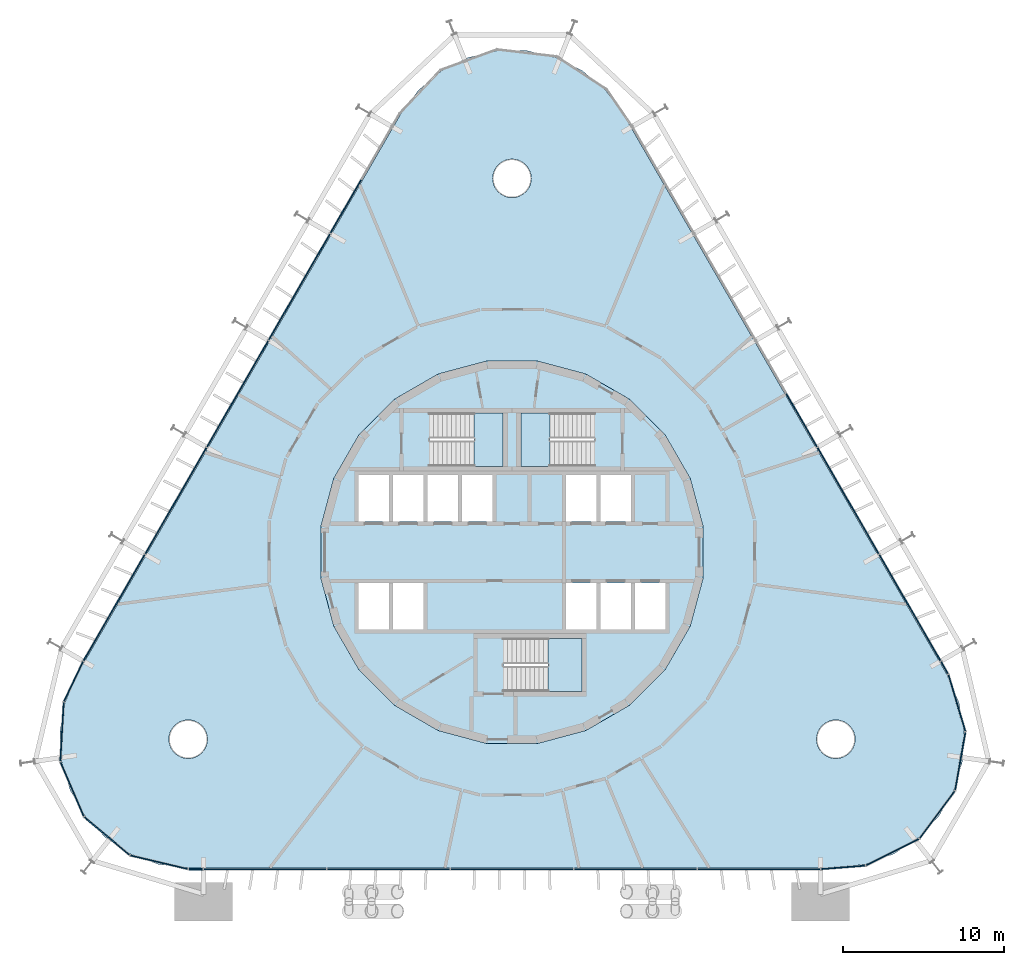
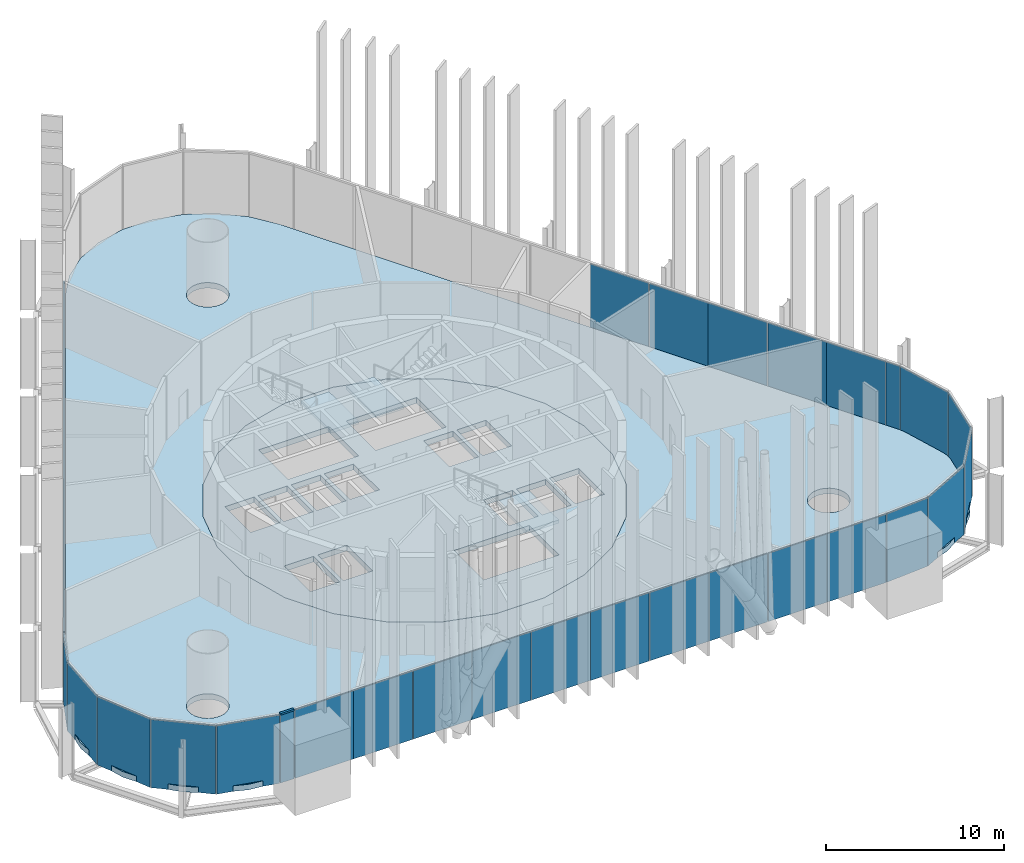
# One storey, part 12 of 17: 36 plates, 5 slabs, 1 member, 8 elements without a shape of their own.
"""IFC4 building model written with IfcOpenShell, lengths in metres."""

from ifc_helpers import new_model, si_unit, direction, frame, origin, origin_2d, place, context, subcontext, project, spatial, polyline, rectangle, outline, extrude, material, layer, layer_set, material_profile, profile_set, type_object, element, aggregate, save


model = new_model("IFC4")

# Units and contexts
model_context = context("Model", 3, precision=1e-05, world=origin(), true_north=direction((0.0, 1.0)))
body_context = subcontext(model_context, "Body", "Model", "MODEL_VIEW")
ifc_project = project(units=[si_unit("LENGTHUNIT", "METRE"), si_unit("AREAUNIT", "SQUARE_METRE"), si_unit("VOLUMEUNIT", "CUBIC_METRE"), si_unit("PLANEANGLEUNIT", "RADIAN"), si_unit("MASSUNIT", "GRAM", prefix="KILO")], contexts=[model_context])

# Site, building, storey
site_placement = place(None, origin())
site = spatial("IfcSite", under=ifc_project, at=site_placement, CompositionType="ELEMENT")
building_placement = place(site_placement, origin())
building = spatial("IfcBuilding", under=site, at=building_placement, Name="Spindle Arch Residences", CompositionType="ELEMENT")
storey_placement = place(building_placement, frame((0.0, 0.0, 18.60009765625)))
storey = spatial("IfcBuildingStorey", under=building, at=storey_placement, Name="L03", CompositionType="ELEMENT", Elevation=18.60009765625)

# Curtain wall, member
ifc_material_1 = material(Name="Aluminium bronze unitised frame with tinted glass", Category="aluminium")
ifc_layer_1 = layer(ifc_material_1, 0.159912109375)
ifc_layer_set_1 = layer_set([ifc_layer_1], Name="CW-D corner wall on the fillet arcs")
curtain_wall_type_1 = type_object("IfcCurtainWallType", Name="CW-D corner wall on the fillet arcs", PredefinedType="NOTDEFINED", material=ifc_layer_set_1)
curtain_wall_1_placement = place(storey_placement, origin())
curtain_wall_1 = element("IfcCurtainWall", 1, at=curtain_wall_1_placement, inside=storey, type_object=curtain_wall_type_1, Name="CW-D L03 run 5", PredefinedType="NOTDEFINED")
ifc_material_2 = material(Name="Aluminium bronze anodised transom", Category="aluminium")
ifc_material_profile = material_profile(ifc_material_2, rectangle(XDim=0.159912109375, YDim=0.1201171875, at=origin_2d()), Name="TR 120x160")
ifc_profile_set = profile_set([ifc_material_profile], Name="Aluminium bronze anodised transom")
member_type = type_object("IfcMemberType", Name="Bronze transom 120x160", PredefinedType="USERDEFINED", material=ifc_profile_set)
member_placement = place(storey_placement, frame((-20.113525390625, -19.7099609375, 4.35986328125), z_axis=(1.0, 0.0, 0.0), x_axis=(0.0, 1.0, 0.0)))
member = element("IfcMember", 2, at=member_placement, type_object=member_type, Name="CW-D transom 05", ObjectType="TRANSOM", PredefinedType="USERDEFINED", context=body_context, shape_type="SweptSolid", body=[
    extrude(rectangle(XDim=0.159912109375, YDim=0.1201171875, at=origin_2d()), origin(), (0.0, 0.0, 1.0), 0.88330078125),
])

# Slab
ifc_material_3 = material(Name="Concrete C50/60", Category="concrete")
ifc_layer_2 = layer(ifc_material_3, 0.3798828125)
ifc_layer_set_2 = layer_set([ifc_layer_2], Name="Core floor slab 380")
slab_type_1 = type_object("IfcSlabType", Name="Core floor slab 380", PredefinedType="FLOOR", material=ifc_layer_set_2)
slab_1_placement = place(storey_placement, frame((0.0, 0.0, -0.380126953125)))
element("IfcSlab", 3, at=slab_1_placement, inside=storey, type_object=slab_type_1, Name="Core floor L03", PredefinedType="FLOOR", context=body_context, shape_type="SweptSolid", body=[
    extrude(outline(polyline([(1.56640625, -11.897216796875), (4.59228515625, -11.086669921875), (7.30517578125, -9.520263671875), (9.520263671875, -7.30517578125), (11.086669921875, -4.59228515625), (11.897216796875, -1.56640625), (11.897216796875, 1.56640625), (11.086669921875, 4.59228515625), (9.520263671875, 7.30517578125), (7.30517578125, 9.520263671875), (4.59228515625, 11.086669921875), (1.56640625, 11.897216796875), (-1.56640625, 11.897216796875), (-4.59228515625, 11.086669921875), (-7.30517578125, 9.520263671875), (-9.520263671875, 7.30517578125), (-11.086669921875, 4.59228515625), (-11.897216796875, 1.56640625), (-11.897216796875, -1.56640625), (-11.086669921875, -4.59228515625), (-9.520263671875, -7.30517578125), (-7.30517578125, -9.520263671875), (-4.59228515625, -11.086669921875), (-1.56640625, -11.897216796875), (1.56640625, -11.897216796875)]), holes=[polyline([(-9.550048828125, 1.89990234375), (-7.64990234375, 1.89990234375), (-7.64990234375, 4.800048828125), (-9.550048828125, 4.800048828125), (-9.550048828125, 1.89990234375)]), polyline([(-7.39990234375, 1.89990234375), (-5.5, 1.89990234375), (-5.5, 4.800048828125), (-7.39990234375, 4.800048828125), (-7.39990234375, 1.89990234375)]), polyline([(-5.25, 1.89990234375), (-3.35009765625, 1.89990234375), (-3.35009765625, 4.800048828125), (-5.25, 4.800048828125), (-5.25, 1.89990234375)]), polyline([(-3.10009765625, 1.89990234375), (-1.199951171875, 1.89990234375), (-1.199951171875, 4.800048828125), (-3.10009765625, 4.800048828125), (-3.10009765625, 1.89990234375)]), polyline([(3.35009765625, 1.89990234375), (5.25, 1.89990234375), (5.25, 4.800048828125), (3.35009765625, 4.800048828125), (3.35009765625, 1.89990234375)]), polyline([(5.5, 1.89990234375), (7.39990234375, 1.89990234375), (7.39990234375, 4.800048828125), (5.5, 4.800048828125), (5.5, 1.89990234375)]), polyline([(-9.550048828125, -4.800048828125), (-7.64990234375, -4.800048828125), (-7.64990234375, -1.89990234375), (-9.550048828125, -1.89990234375), (-9.550048828125, -4.800048828125)]), polyline([(-7.39990234375, -4.800048828125), (-5.5, -4.800048828125), (-5.5, -1.89990234375), (-7.39990234375, -1.89990234375), (-7.39990234375, -4.800048828125)]), polyline([(3.35009765625, -4.800048828125), (5.25, -4.800048828125), (5.25, -1.89990234375), (3.35009765625, -1.89990234375), (3.35009765625, -4.800048828125)]), polyline([(5.5, -4.800048828125), (7.39990234375, -4.800048828125), (7.39990234375, -1.89990234375), (5.5, -1.89990234375), (5.5, -4.800048828125)]), polyline([(7.64990234375, -4.800048828125), (9.550048828125, -4.800048828125), (9.550048828125, -1.89990234375), (7.64990234375, -1.89990234375), (7.64990234375, -4.800048828125)]), polyline([(5.1298828125, 8.669921875), (0.550048828125, 8.669921875), (0.550048828125, 5.35009765625), (5.1298828125, 5.35009765625), (5.1298828125, 8.669921875)]), polyline([(-5.1298828125, 5.35009765625), (-0.550048828125, 5.35009765625), (-0.550048828125, 8.669921875), (-5.1298828125, 8.669921875), (-5.1298828125, 5.35009765625)]), polyline([(-0.530029296875, -8.669921875), (4.35009765625, -8.669921875), (4.35009765625, -5.35009765625), (-0.530029296875, -5.35009765625), (-0.530029296875, -8.669921875)])]), origin(), (0.0, 0.0, 1.0), 0.380126953125),
])

# Stair, slab
ifc_material_4 = material(Name="Concrete C50/60", Category="concrete")
stair_type = type_object("IfcStairType", Name="Exit stair 22 risers", PredefinedType="HALF_TURN_STAIR", material=ifc_material_4)
stair_1_placement = place(storey_placement, origin())
stair_1 = element("IfcStair", 4, at=stair_1_placement, inside=storey, type_object=stair_type, Name="L03 Exit stair ST1", PredefinedType="HALF_TURN_STAIR")
ifc_material_5 = material(Name="Concrete C50/60", Category="concrete")
ifc_layer_3 = layer(ifc_material_5, 0.219970703125)
ifc_layer_set_3 = layer_set([ifc_layer_3], Name="Exit stair landing 220")
slab_type_2 = type_object("IfcSlabType", Name="Exit stair landing 220", PredefinedType="LANDING", material=ifc_layer_set_3)
slab_2_placement = place(storey_placement, frame((0.0, 0.0, 2.179931640625)))
slab_2 = element("IfcSlab", 5, at=slab_2_placement, type_object=slab_type_2, Name="ST1 landing 1", PredefinedType="LANDING", context=body_context, shape_type="SweptSolid", body=[
    extrude(outline(polyline([(2.3701171875, 8.669921875), (0.550048828125, 8.669921875), (0.550048828125, 5.35009765625), (2.3701171875, 5.35009765625), (2.3701171875, 8.669921875)])), origin(), (0.0, 0.0, 1.0), 0.219970703125),
])
aggregate(stair_1, [slab_2])

stair_2_placement = place(storey_placement, origin())
stair_2 = element("IfcStair", 6, at=stair_2_placement, inside=storey, type_object=stair_type, Name="L03 Exit stair ST2", PredefinedType="HALF_TURN_STAIR")
slab_3_placement = place(storey_placement, frame((0.0, 0.0, 2.179931640625)))
slab_3 = element("IfcSlab", 7, at=slab_3_placement, type_object=slab_type_2, Name="ST2 landing 1", PredefinedType="LANDING", context=body_context, shape_type="SweptSolid", body=[
    extrude(outline(polyline([(-2.3701171875, 5.35009765625), (-0.550048828125, 5.35009765625), (-0.550048828125, 8.669921875), (-2.3701171875, 8.669921875), (-2.3701171875, 5.35009765625)])), origin(), (0.0, 0.0, 1.0), 0.219970703125),
])
aggregate(stair_2, [slab_3])

stair_3_placement = place(storey_placement, origin())
stair_3 = element("IfcStair", 8, at=stair_3_placement, inside=storey, type_object=stair_type, Name="L03 Exit stair ST3", PredefinedType="HALF_TURN_STAIR")
slab_4_placement = place(storey_placement, frame((0.0, 0.0, 2.179931640625)))
slab_4 = element("IfcSlab", 9, at=slab_4_placement, type_object=slab_type_2, Name="ST3 landing 1", PredefinedType="LANDING", context=body_context, shape_type="SweptSolid", body=[
    extrude(outline(polyline([(2.22998046875, -8.669921875), (4.35009765625, -8.669921875), (4.35009765625, -5.35009765625), (2.22998046875, -5.35009765625), (2.22998046875, -8.669921875)])), origin(), (0.0, 0.0, 1.0), 0.219970703125),
])
aggregate(stair_3, [slab_4])

# Slab
ifc_material_6 = material(Name="Concrete C40/50", Category="concrete")
ifc_layer_4 = layer(ifc_material_6, 0.3798828125)
ifc_layer_set_4 = layer_set([ifc_layer_4], Name="Floor slab 380")
slab_type_3 = type_object("IfcSlabType", Name="Floor slab 380", PredefinedType="FLOOR", material=ifc_layer_set_4)
slab_5_placement = place(storey_placement, frame((0.0, 0.0, -0.380126953125)))
element("IfcSlab", 10, at=slab_5_placement, inside=storey, type_object=slab_type_3, Name="Floor slab L03", PredefinedType="FLOOR", context=body_context, shape_type="SweptSolid", body=[
    extrude(outline(polyline([(-21.988525390625, -19.414306640625), (-23.73388671875, -18.779052734375), (-25.285888671875, -17.75830078125), (-26.560546875, -16.4072265625), (-27.4892578125, -14.798583984375), (-28.022216796875, -13.01904296875), (-28.130126953125, -11.164794921875), (-27.8076171875, -9.33544921875), (-27.07177734375, -7.6298828125), (-6.92822265625, 27.259765625), (-5.819091796875, 28.749755859375), (-4.39599609375, 29.943603515625), (-2.736083984375, 30.77734375), (-0.9287109375, 31.205810546875), (0.9287109375, 31.205810546875), (2.736083984375, 30.77734375), (4.39599609375, 29.943603515625), (5.819091796875, 28.749755859375), (6.92822265625, 27.259765625), (27.07177734375, -7.6298828125), (27.8076171875, -9.33544921875), (28.130126953125, -11.164794921875), (28.022216796875, -13.01904296875), (27.4892578125, -14.798583984375), (26.560546875, -16.4072265625), (25.285888671875, -17.75830078125), (23.73388671875, -18.779052734375), (21.988525390625, -19.414306640625), (20.1435546875, -19.6298828125), (0.0, -19.6298828125), (-20.1435546875, -19.6298828125), (-21.988525390625, -19.414306640625)]), holes=[polyline([(7.30517578125, -9.520263671875), (9.520263671875, -7.30517578125), (11.086669921875, -4.59228515625), (11.897216796875, -1.56640625), (11.897216796875, 1.56640625), (11.086669921875, 4.59228515625), (9.520263671875, 7.30517578125), (7.30517578125, 9.520263671875), (4.59228515625, 11.086669921875), (1.56640625, 11.897216796875), (-1.56640625, 11.897216796875), (-4.59228515625, 11.086669921875), (-7.30517578125, 9.520263671875), (-9.520263671875, 7.30517578125), (-11.086669921875, 4.59228515625), (-11.897216796875, 1.56640625), (-11.897216796875, -1.56640625), (-11.086669921875, -4.59228515625), (-9.520263671875, -7.30517578125), (-7.30517578125, -9.520263671875), (-4.59228515625, -11.086669921875), (-1.56640625, -11.897216796875), (1.56640625, -11.897216796875), (4.59228515625, -11.086669921875), (7.30517578125, -9.520263671875)]), polyline([(-19.295166015625, -12.478515625), (-19.145751953125, -12.296630859375), (-19.034912109375, -12.089111328125), (-18.966796875, -11.864013671875), (-18.943603515625, -11.6298828125), (-18.966796875, -11.395751953125), (-19.034912109375, -11.170654296875), (-19.145751953125, -10.963134765625), (-19.295166015625, -10.781494140625), (-19.476806640625, -10.632080078125), (-19.684326171875, -10.521240234375), (-19.909423828125, -10.452880859375), (-20.1435546875, -10.429931640625), (-20.377685546875, -10.452880859375), (-20.602783203125, -10.521240234375), (-20.810302734375, -10.632080078125), (-20.9921875, -10.781494140625), (-21.141357421875, -10.963134765625), (-21.252197265625, -11.170654296875), (-21.320556640625, -11.395751953125), (-21.343505859375, -11.6298828125), (-21.320556640625, -11.864013671875), (-21.252197265625, -12.089111328125), (-21.141357421875, -12.296630859375), (-20.9921875, -12.478515625), (-20.810302734375, -12.627685546875), (-20.602783203125, -12.738525390625), (-20.377685546875, -12.806884765625), (-20.1435546875, -12.829833984375), (-19.909423828125, -12.806884765625), (-19.684326171875, -12.738525390625), (-19.476806640625, -12.627685546875), (-19.295166015625, -12.478515625)]), polyline([(0.848388671875, 22.411376953125), (0.997802734375, 22.593017578125), (1.108642578125, 22.800537109375), (1.177001953125, 23.025634765625), (1.199951171875, 23.259765625), (1.177001953125, 23.493896484375), (1.108642578125, 23.718994140625), (0.997802734375, 23.926513671875), (0.848388671875, 24.1083984375), (0.666748046875, 24.257568359375), (0.459228515625, 24.368408203125), (0.234130859375, 24.436767578125), (0.0, 24.459716796875), (-0.234130859375, 24.436767578125), (-0.459228515625, 24.368408203125), (-0.666748046875, 24.257568359375), (-0.848388671875, 24.1083984375), (-0.997802734375, 23.926513671875), (-1.108642578125, 23.718994140625), (-1.177001953125, 23.493896484375), (-1.199951171875, 23.259765625), (-1.177001953125, 23.025634765625), (-1.108642578125, 22.800537109375), (-0.997802734375, 22.593017578125), (-0.848388671875, 22.411376953125), (-0.666748046875, 22.261962890625), (-0.459228515625, 22.151123046875), (-0.234130859375, 22.0830078125), (0.0, 22.059814453125), (0.234130859375, 22.0830078125), (0.459228515625, 22.151123046875), (0.666748046875, 22.261962890625), (0.848388671875, 22.411376953125)]), polyline([(20.9921875, -12.478515625), (21.141357421875, -12.296630859375), (21.252197265625, -12.089111328125), (21.320556640625, -11.864013671875), (21.343505859375, -11.6298828125), (21.320556640625, -11.395751953125), (21.252197265625, -11.170654296875), (21.141357421875, -10.963134765625), (20.9921875, -10.781494140625), (20.810302734375, -10.632080078125), (20.602783203125, -10.521240234375), (20.377685546875, -10.452880859375), (20.1435546875, -10.429931640625), (19.909423828125, -10.452880859375), (19.684326171875, -10.521240234375), (19.476806640625, -10.632080078125), (19.295166015625, -10.781494140625), (19.145751953125, -10.963134765625), (19.034912109375, -11.170654296875), (18.966796875, -11.395751953125), (18.943603515625, -11.6298828125), (18.966796875, -11.864013671875), (19.034912109375, -12.089111328125), (19.145751953125, -12.296630859375), (19.295166015625, -12.478515625), (19.476806640625, -12.627685546875), (19.684326171875, -12.738525390625), (19.909423828125, -12.806884765625), (20.1435546875, -12.829833984375), (20.377685546875, -12.806884765625), (20.602783203125, -12.738525390625), (20.810302734375, -12.627685546875), (20.9921875, -12.478515625)])]), origin(), (0.0, 0.0, 1.0), 0.380126953125),
])

# Curtain wall, plates
curtain_wall_2_placement = place(storey_placement, origin())
curtain_wall_2 = element("IfcCurtainWall", 11, at=curtain_wall_2_placement, inside=storey, type_object=curtain_wall_type_1, Name="CW-D L03 run 1", PredefinedType="NOTDEFINED")
ifc_material_7 = material(Name="Tinted double glazing over non-combustible spandrel zone with 0.55 mm stainless steel cavity fire stop (K0)", Category="steel")
ifc_layer_5 = layer(ifc_material_7, 0.070068359375)
ifc_layer_set_5 = layer_set([ifc_layer_5], Name="Unitised glass panel with spandrel zone and stainless cavity fire stop")
plate_type = type_object("IfcPlateType", Name="Unitised glass panel with spandrel zone and stainless cavity fire stop", PredefinedType="CURTAIN_PANEL", material=ifc_layer_set_5)
plate_1_placement = place(storey_placement, frame((20.603515625, -19.60107421875, -0.3798828125), z_axis=(0.0, 0.0, 1.0), x_axis=(0.997002907861, 0.077364085451, 0.0)))
plate_1 = element("IfcPlate", 12, at=plate_1_placement, type_object=plate_type, Name="CW-D unit 00", PredefinedType="CURTAIN_PANEL", context=body_context, shape_type="SweptSolid", body=[
    extrude(rectangle(XDim=2.755126953125, YDim=0.070068359375, at=origin_2d()), origin(), (0.0, 0.0, 1.0), 4.679931640625),
])
plate_2_placement = place(storey_placement, frame((23.672119140625, -18.65576171875, -0.3798828125), z_axis=(0.0, 0.0, 1.0), x_axis=(0.893632642326, 0.448799176213, 0.0)))
plate_2 = element("IfcPlate", 13, at=plate_2_placement, type_object=plate_type, Name="CW-D unit 01", PredefinedType="CURTAIN_PANEL", context=body_context, shape_type="SweptSolid", body=[
    extrude(rectangle(XDim=3.666748046875, YDim=0.070068359375, at=origin_2d()), origin(), (0.0, 0.0, 1.0), 4.679931640625),
])
plate_3_placement = place(storey_placement, frame((26.449951171875, -16.324951171875, -0.3798828125), z_axis=(0.0, 0.0, 1.0), x_axis=(0.597158595823, 0.802123189687, 0.0)))
plate_3 = element("IfcPlate", 14, at=plate_3_placement, type_object=plate_type, Name="CW-D unit 02", PredefinedType="CURTAIN_PANEL", context=body_context, shape_type="SweptSolid", body=[
    extrude(rectangle(XDim=3.666748046875, YDim=0.070068359375, at=origin_2d()), origin(), (0.0, 0.0, 1.0), 4.679931640625),
])
plate_4_placement = place(storey_placement, frame((27.88623046875, -12.9951171875, -0.3798828125), z_axis=(0.0, 0.0, 1.0), x_axis=(0.173648181019, 0.984807752421, 0.0)))
plate_4 = element("IfcPlate", 15, at=plate_4_placement, type_object=plate_type, Name="CW-D unit 03", PredefinedType="CURTAIN_PANEL", context=body_context, shape_type="SweptSolid", body=[
    extrude(rectangle(XDim=3.666748046875, YDim=0.070068359375, at=origin_2d()), origin(), (0.0, 0.0, 1.0), 4.679931640625),
])
plate_5_placement = place(storey_placement, frame((27.675537109375, -9.375, -0.3798828125), z_axis=(0.0, 0.0, 1.0), x_axis=(-0.28680323051, 0.957989512975, 0.0)))
plate_5 = element("IfcPlate", 16, at=plate_5_placement, type_object=plate_type, Name="CW-D unit 04", PredefinedType="CURTAIN_PANEL", context=body_context, shape_type="SweptSolid", body=[
    extrude(rectangle(XDim=3.666748046875, YDim=0.070068359375, at=origin_2d()), origin(), (0.0, 0.0, 1.0), 4.679931640625),
])
plate_6_placement = place(storey_placement, frame((26.9052734375, -7.181396484375, -0.3798828125), z_axis=(0.0, 0.0, 1.0), x_axis=(-0.5, 0.866025403784, 0.0)))
plate_6 = element("IfcPlate", 17, at=plate_6_placement, type_object=plate_type, Name="CW-D unit 05", PredefinedType="CURTAIN_PANEL", context=body_context, shape_type="SweptSolid", body=[
    extrude(rectangle(XDim=0.88330078125, YDim=0.070068359375, at=origin_2d()), origin(), (0.0, 0.0, 1.0), 4.679931640625),
])
aggregate(curtain_wall_2, [plate_1, plate_2, plate_3, plate_4, plate_5, plate_6])

ifc_material_8 = material(Name="Aluminium bronze unitised frame with tinted glass", Category="aluminium")
ifc_layer_6 = layer(ifc_material_8, 0.159912109375)
ifc_layer_set_6 = layer_set([ifc_layer_6], Name="CW-B amenity podium glazed wall")
curtain_wall_type_2 = type_object("IfcCurtainWallType", Name="CW-B amenity podium glazed wall", PredefinedType="NOTDEFINED", material=ifc_layer_set_6)
curtain_wall_3_placement = place(storey_placement, origin())
curtain_wall_3 = element("IfcCurtainWall", 18, at=curtain_wall_3_placement, inside=storey, type_object=curtain_wall_type_2, Name="CW-B L03 run 2", PredefinedType="NOTDEFINED")
plate_7_placement = place(storey_placement, frame((25.701904296875, -5.09716796875, -0.3798828125), z_axis=(0.0, 0.0, 1.0), x_axis=(-0.5, 0.866025403784, 0.0)))
plate_7 = element("IfcPlate", 19, at=plate_7_placement, type_object=plate_type, Name="CW-B unit 05A", PredefinedType="CURTAIN_PANEL", context=body_context, shape_type="SweptSolid", body=[
    extrude(rectangle(XDim=3.81005859375, YDim=0.070068359375, at=origin_2d()), origin(), (0.0, 0.0, 1.0), 4.679931640625),
])
plate_8_placement = place(storey_placement, frame((23.796875, -1.797607421875, -0.3798828125), z_axis=(0.0, 0.0, 1.0), x_axis=(-0.5, 0.866025403784, 0.0)))
plate_8 = element("IfcPlate", 20, at=plate_8_placement, type_object=plate_type, Name="CW-B unit 05B", PredefinedType="CURTAIN_PANEL", context=body_context, shape_type="SweptSolid", body=[
    extrude(rectangle(XDim=3.81005859375, YDim=0.070068359375, at=origin_2d()), origin(), (0.0, 0.0, 1.0), 4.679931640625),
])
plate_9_placement = place(storey_placement, frame((21.86181640625, 1.553955078125, -0.3798828125), z_axis=(0.0, 0.0, 1.0), x_axis=(-0.5, 0.866025403784, 0.0)))
plate_9 = element("IfcPlate", 21, at=plate_9_placement, type_object=plate_type, Name="CW-B unit 06A", PredefinedType="CURTAIN_PANEL", context=body_context, shape_type="SweptSolid", body=[
    extrude(rectangle(XDim=3.81005859375, YDim=0.070068359375, at=origin_2d()), origin(), (0.0, 0.0, 1.0), 4.679931640625),
])
plate_10_placement = place(storey_placement, frame((19.956787109375, 4.853515625, -0.3798828125), z_axis=(0.0, 0.0, 1.0), x_axis=(-0.5, 0.866025403784, 0.0)))
plate_10 = element("IfcPlate", 22, at=plate_10_placement, type_object=plate_type, Name="CW-B unit 06B", PredefinedType="CURTAIN_PANEL", context=body_context, shape_type="SweptSolid", body=[
    extrude(rectangle(XDim=3.81005859375, YDim=0.070068359375, at=origin_2d()), origin(), (0.0, 0.0, 1.0), 4.679931640625),
])
plate_11_placement = place(storey_placement, frame((18.021728515625, 8.205078125, -0.3798828125), z_axis=(0.0, 0.0, 1.0), x_axis=(-0.5, 0.866025403784, 0.0)))
plate_11 = element("IfcPlate", 23, at=plate_11_placement, type_object=plate_type, Name="CW-B unit 07A", PredefinedType="CURTAIN_PANEL", context=body_context, shape_type="SweptSolid", body=[
    extrude(rectangle(XDim=3.81005859375, YDim=0.070068359375, at=origin_2d()), origin(), (0.0, 0.0, 1.0), 4.679931640625),
])
aggregate(curtain_wall_3, [plate_7, plate_8, plate_9, plate_10, plate_11])

curtain_wall_4_placement = place(storey_placement, origin())
curtain_wall_4 = element("IfcCurtainWall", 24, at=curtain_wall_4_placement, inside=storey, type_object=curtain_wall_type_2, Name="CW-B L03 run 4", PredefinedType="NOTDEFINED")
plate_12_placement = place(storey_placement, frame((-10.341796875, 21.50732421875, -0.3798828125), z_axis=(0.0, 0.0, 1.0), x_axis=(-0.5, -0.866025403784, 0.0)))
plate_12 = element("IfcPlate", 25, at=plate_12_placement, type_object=plate_type, Name="CW-B unit 13B", PredefinedType="CURTAIN_PANEL", context=body_context, shape_type="SweptSolid", body=[
    extrude(rectangle(XDim=3.81005859375, YDim=0.070068359375, at=origin_2d()), origin(), (0.0, 0.0, 1.0), 4.679931640625),
])
plate_13_placement = place(storey_placement, frame((-12.27685546875, 18.156005859375, -0.3798828125), z_axis=(0.0, 0.0, 1.0), x_axis=(-0.5, -0.866025403784, 0.0)))
plate_13 = element("IfcPlate", 26, at=plate_13_placement, type_object=plate_type, Name="CW-B unit 14A", PredefinedType="CURTAIN_PANEL", context=body_context, shape_type="SweptSolid", body=[
    extrude(rectangle(XDim=3.81005859375, YDim=0.070068359375, at=origin_2d()), origin(), (0.0, 0.0, 1.0), 4.679931640625),
])
plate_14_placement = place(storey_placement, frame((-14.181640625, 14.856201171875, -0.3798828125), z_axis=(0.0, 0.0, 1.0), x_axis=(-0.5, -0.866025403784, 0.0)))
plate_14 = element("IfcPlate", 27, at=plate_14_placement, type_object=plate_type, Name="CW-B unit 14B", PredefinedType="CURTAIN_PANEL", context=body_context, shape_type="SweptSolid", body=[
    extrude(rectangle(XDim=3.81005859375, YDim=0.070068359375, at=origin_2d()), origin(), (0.0, 0.0, 1.0), 4.679931640625),
])
plate_15_placement = place(storey_placement, frame((-16.11669921875, 11.504638671875, -0.3798828125), z_axis=(0.0, 0.0, 1.0), x_axis=(-0.5, -0.866025403784, 0.0)))
plate_15 = element("IfcPlate", 28, at=plate_15_placement, type_object=plate_type, Name="CW-B unit 15A", PredefinedType="CURTAIN_PANEL", context=body_context, shape_type="SweptSolid", body=[
    extrude(rectangle(XDim=3.81005859375, YDim=0.070068359375, at=origin_2d()), origin(), (0.0, 0.0, 1.0), 4.679931640625),
])
plate_16_placement = place(storey_placement, frame((-18.021728515625, 8.205078125, -0.3798828125), z_axis=(0.0, 0.0, 1.0), x_axis=(-0.5, -0.866025403784, 0.0)))
plate_16 = element("IfcPlate", 29, at=plate_16_placement, type_object=plate_type, Name="CW-B unit 15B", PredefinedType="CURTAIN_PANEL", context=body_context, shape_type="SweptSolid", body=[
    extrude(rectangle(XDim=3.81005859375, YDim=0.070068359375, at=origin_2d()), origin(), (0.0, 0.0, 1.0), 4.679931640625),
])
plate_17_placement = place(storey_placement, frame((-19.956787109375, 4.853515625, -0.3798828125), z_axis=(0.0, 0.0, 1.0), x_axis=(-0.5, -0.866025403784, 0.0)))
plate_17 = element("IfcPlate", 30, at=plate_17_placement, type_object=plate_type, Name="CW-B unit 16A", PredefinedType="CURTAIN_PANEL", context=body_context, shape_type="SweptSolid", body=[
    extrude(rectangle(XDim=3.81005859375, YDim=0.070068359375, at=origin_2d()), origin(), (0.0, 0.0, 1.0), 4.679931640625),
])
plate_18_placement = place(storey_placement, frame((-21.86181640625, 1.553955078125, -0.3798828125), z_axis=(0.0, 0.0, 1.0), x_axis=(-0.5, -0.866025403784, 0.0)))
plate_18 = element("IfcPlate", 31, at=plate_18_placement, type_object=plate_type, Name="CW-B unit 16B", PredefinedType="CURTAIN_PANEL", context=body_context, shape_type="SweptSolid", body=[
    extrude(rectangle(XDim=3.81005859375, YDim=0.070068359375, at=origin_2d()), origin(), (0.0, 0.0, 1.0), 4.679931640625),
])
plate_19_placement = place(storey_placement, frame((-23.796875, -1.797607421875, -0.3798828125), z_axis=(0.0, 0.0, 1.0), x_axis=(-0.5, -0.866025403784, 0.0)))
plate_19 = element("IfcPlate", 32, at=plate_19_placement, type_object=plate_type, Name="CW-B unit 17A", PredefinedType="CURTAIN_PANEL", context=body_context, shape_type="SweptSolid", body=[
    extrude(rectangle(XDim=3.81005859375, YDim=0.070068359375, at=origin_2d()), origin(), (0.0, 0.0, 1.0), 4.679931640625),
])
plate_20_placement = place(storey_placement, frame((-25.701904296875, -5.09716796875, -0.3798828125), z_axis=(0.0, 0.0, 1.0), x_axis=(-0.5, -0.866025403784, 0.0)))
plate_20 = element("IfcPlate", 33, at=plate_20_placement, type_object=plate_type, Name="CW-B unit 17B", PredefinedType="CURTAIN_PANEL", context=body_context, shape_type="SweptSolid", body=[
    extrude(rectangle(XDim=3.81005859375, YDim=0.070068359375, at=origin_2d()), origin(), (0.0, 0.0, 1.0), 4.679931640625),
])
aggregate(curtain_wall_4, [plate_12, plate_13, plate_14, plate_15, plate_16, plate_17, plate_18, plate_19, plate_20])

# Plate
plate_21_placement = place(storey_placement, frame((-27.27685546875, -8.042724609375, -0.3798828125), z_axis=(0.0, 0.0, 1.0), x_axis=(-0.431502189519, -0.902111889092, 0.0)))
plate_21 = element("IfcPlate", 34, at=plate_21_placement, type_object=plate_type, Name="CW-D unit 00", PredefinedType="CURTAIN_PANEL", context=body_context, shape_type="SweptSolid", body=[
    extrude(rectangle(XDim=2.755126953125, YDim=0.070068359375, at=origin_2d()), origin(), (0.0, 0.0, 1.0), 4.679931640625),
])

plate_22_placement = place(storey_placement, frame((-27.992431640625, -11.1728515625, -0.3798828125), z_axis=(0.0, 0.0, 1.0), x_axis=(-0.058144829968, -0.99830815821, 0.0)))
plate_22 = element("IfcPlate", 35, at=plate_22_placement, type_object=plate_type, Name="CW-D unit 01", PredefinedType="CURTAIN_PANEL", context=body_context, shape_type="SweptSolid", body=[
    extrude(rectangle(XDim=3.666748046875, YDim=0.070068359375, at=origin_2d()), origin(), (0.0, 0.0, 1.0), 4.679931640625),
])

plate_23_placement = place(storey_placement, frame((-27.36279296875, -14.743896484375, -0.3798828125), z_axis=(0.0, 0.0, 1.0), x_axis=(0.396079766691, -0.918216106599, 0.0)))
plate_23 = element("IfcPlate", 36, at=plate_23_placement, type_object=plate_type, Name="CW-D unit 02", PredefinedType="CURTAIN_PANEL", context=body_context, shape_type="SweptSolid", body=[
    extrude(rectangle(XDim=3.666748046875, YDim=0.070068359375, at=origin_2d()), origin(), (0.0, 0.0, 1.0), 4.679931640625),
])

plate_24_placement = place(storey_placement, frame((-25.197265625, -17.652587890625, -0.3798828125), z_axis=(0.0, 0.0, 1.0), x_axis=(0.766044445239, -0.64278760716, 0.0)))
plate_24 = element("IfcPlate", 37, at=plate_24_placement, type_object=plate_type, Name="CW-D unit 03", PredefinedType="CURTAIN_PANEL", context=body_context, shape_type="SweptSolid", body=[
    extrude(rectangle(XDim=3.666748046875, YDim=0.070068359375, at=origin_2d()), origin(), (0.0, 0.0, 1.0), 4.679931640625),
])

plate_25_placement = place(storey_placement, frame((-21.956787109375, -19.2802734375, -0.3798828125), z_axis=(0.0, 0.0, 1.0), x_axis=(0.973044871028, -0.230615868852, 0.0)))
plate_25 = element("IfcPlate", 38, at=plate_25_placement, type_object=plate_type, Name="CW-D unit 04", PredefinedType="CURTAIN_PANEL", context=body_context, shape_type="SweptSolid", body=[
    extrude(rectangle(XDim=3.666748046875, YDim=0.070068359375, at=origin_2d()), origin(), (0.0, 0.0, 1.0), 4.679931640625),
])

plate_26_placement = place(storey_placement, frame((-19.671875, -19.7099609375, -0.3798828125), z_axis=(0.0, 0.0, 1.0), x_axis=(1.0, 0.0, 0.0)))
plate_26 = element("IfcPlate", 39, at=plate_26_placement, type_object=plate_type, Name="CW-D unit 05", PredefinedType="CURTAIN_PANEL", context=body_context, shape_type="SweptSolid", body=[
    extrude(rectangle(XDim=0.88330078125, YDim=0.070068359375, at=origin_2d()), origin(), (0.0, 0.0, 1.0), 4.679931640625),
])

aggregate(curtain_wall_1, [plate_21, plate_22, plate_23, plate_24, plate_25, member, plate_26])

# Curtain wall, plates
curtain_wall_5_placement = place(storey_placement, origin())
curtain_wall_5 = element("IfcCurtainWall", 40, at=curtain_wall_5_placement, inside=storey, type_object=curtain_wall_type_2, Name="CW-B L03 run 6", PredefinedType="NOTDEFINED")
plate_27_placement = place(storey_placement, frame((-17.26513671875, -19.7099609375, -0.3798828125), z_axis=(0.0, 0.0, 1.0), x_axis=(1.0, 0.0, 0.0)))
plate_27 = element("IfcPlate", 41, at=plate_27_placement, type_object=plate_type, Name="CW-B unit 21A", PredefinedType="CURTAIN_PANEL", context=body_context, shape_type="SweptSolid", body=[
    extrude(rectangle(XDim=3.81005859375, YDim=0.070068359375, at=origin_2d()), origin(), (0.0, 0.0, 1.0), 4.679931640625),
])
plate_28_placement = place(storey_placement, frame((-13.455078125, -19.7099609375, -0.3798828125), z_axis=(0.0, 0.0, 1.0), x_axis=(1.0, 0.0, 0.0)))
plate_28 = element("IfcPlate", 42, at=plate_28_placement, type_object=plate_type, Name="CW-B unit 21B", PredefinedType="CURTAIN_PANEL", context=body_context, shape_type="SweptSolid", body=[
    extrude(rectangle(XDim=3.81005859375, YDim=0.070068359375, at=origin_2d()), origin(), (0.0, 0.0, 1.0), 4.679931640625),
])
plate_29_placement = place(storey_placement, frame((-9.585205078125, -19.7099609375, -0.3798828125), z_axis=(0.0, 0.0, 1.0), x_axis=(1.0, 0.0, 0.0)))
plate_29 = element("IfcPlate", 43, at=plate_29_placement, type_object=plate_type, Name="CW-B unit 22A", PredefinedType="CURTAIN_PANEL", context=body_context, shape_type="SweptSolid", body=[
    extrude(rectangle(XDim=3.81005859375, YDim=0.070068359375, at=origin_2d()), origin(), (0.0, 0.0, 1.0), 4.679931640625),
])
plate_30_placement = place(storey_placement, frame((-5.775146484375, -19.7099609375, -0.3798828125), z_axis=(0.0, 0.0, 1.0), x_axis=(1.0, 0.0, 0.0)))
plate_30 = element("IfcPlate", 44, at=plate_30_placement, type_object=plate_type, Name="CW-B unit 22B", PredefinedType="CURTAIN_PANEL", context=body_context, shape_type="SweptSolid", body=[
    extrude(rectangle(XDim=3.81005859375, YDim=0.070068359375, at=origin_2d()), origin(), (0.0, 0.0, 1.0), 4.679931640625),
])
plate_31_placement = place(storey_placement, frame((-1.905029296875, -19.7099609375, -0.3798828125), z_axis=(0.0, 0.0, 1.0), x_axis=(1.0, 0.0, 0.0)))
plate_31 = element("IfcPlate", 45, at=plate_31_placement, type_object=plate_type, Name="CW-B unit 23A", PredefinedType="CURTAIN_PANEL", context=body_context, shape_type="SweptSolid", body=[
    extrude(rectangle(XDim=3.81005859375, YDim=0.070068359375, at=origin_2d()), origin(), (0.0, 0.0, 1.0), 4.679931640625),
])
plate_32_placement = place(storey_placement, frame((1.905029296875, -19.7099609375, -0.3798828125), z_axis=(0.0, 0.0, 1.0), x_axis=(1.0, 0.0, 0.0)))
plate_32 = element("IfcPlate", 46, at=plate_32_placement, type_object=plate_type, Name="CW-B unit 23B", PredefinedType="CURTAIN_PANEL", context=body_context, shape_type="SweptSolid", body=[
    extrude(rectangle(XDim=3.81005859375, YDim=0.070068359375, at=origin_2d()), origin(), (0.0, 0.0, 1.0), 4.679931640625),
])
plate_33_placement = place(storey_placement, frame((5.775146484375, -19.7099609375, -0.3798828125), z_axis=(0.0, 0.0, 1.0), x_axis=(1.0, 0.0, 0.0)))
plate_33 = element("IfcPlate", 47, at=plate_33_placement, type_object=plate_type, Name="CW-B unit 00A", PredefinedType="CURTAIN_PANEL", context=body_context, shape_type="SweptSolid", body=[
    extrude(rectangle(XDim=3.81005859375, YDim=0.070068359375, at=origin_2d()), origin(), (0.0, 0.0, 1.0), 4.679931640625),
])
plate_34_placement = place(storey_placement, frame((9.585205078125, -19.7099609375, -0.3798828125), z_axis=(0.0, 0.0, 1.0), x_axis=(1.0, 0.0, 0.0)))
plate_34 = element("IfcPlate", 48, at=plate_34_placement, type_object=plate_type, Name="CW-B unit 00B", PredefinedType="CURTAIN_PANEL", context=body_context, shape_type="SweptSolid", body=[
    extrude(rectangle(XDim=3.81005859375, YDim=0.070068359375, at=origin_2d()), origin(), (0.0, 0.0, 1.0), 4.679931640625),
])
plate_35_placement = place(storey_placement, frame((13.455078125, -19.7099609375, -0.3798828125), z_axis=(0.0, 0.0, 1.0), x_axis=(1.0, 0.0, 0.0)))
plate_35 = element("IfcPlate", 49, at=plate_35_placement, type_object=plate_type, Name="CW-B unit 01A", PredefinedType="CURTAIN_PANEL", context=body_context, shape_type="SweptSolid", body=[
    extrude(rectangle(XDim=3.81005859375, YDim=0.070068359375, at=origin_2d()), origin(), (0.0, 0.0, 1.0), 4.679931640625),
])
plate_36_placement = place(storey_placement, frame((17.26513671875, -19.7099609375, -0.3798828125), z_axis=(0.0, 0.0, 1.0), x_axis=(1.0, 0.0, 0.0)))
plate_36 = element("IfcPlate", 50, at=plate_36_placement, type_object=plate_type, Name="CW-B unit 01B", PredefinedType="CURTAIN_PANEL", context=body_context, shape_type="SweptSolid", body=[
    extrude(rectangle(XDim=3.81005859375, YDim=0.070068359375, at=origin_2d()), origin(), (0.0, 0.0, 1.0), 4.679931640625),
])
aggregate(curtain_wall_5, [plate_27, plate_28, plate_29, plate_30, plate_31, plate_32, plate_33, plate_34, plate_35, plate_36])

save(model, "model.ifc")
